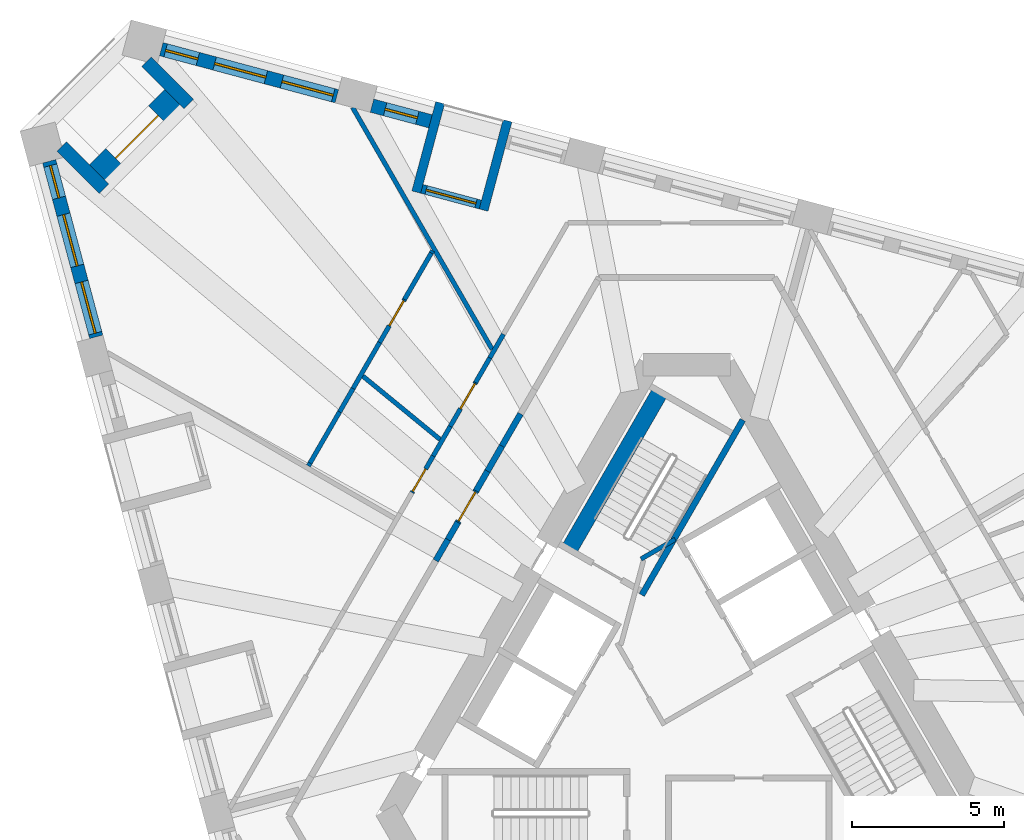
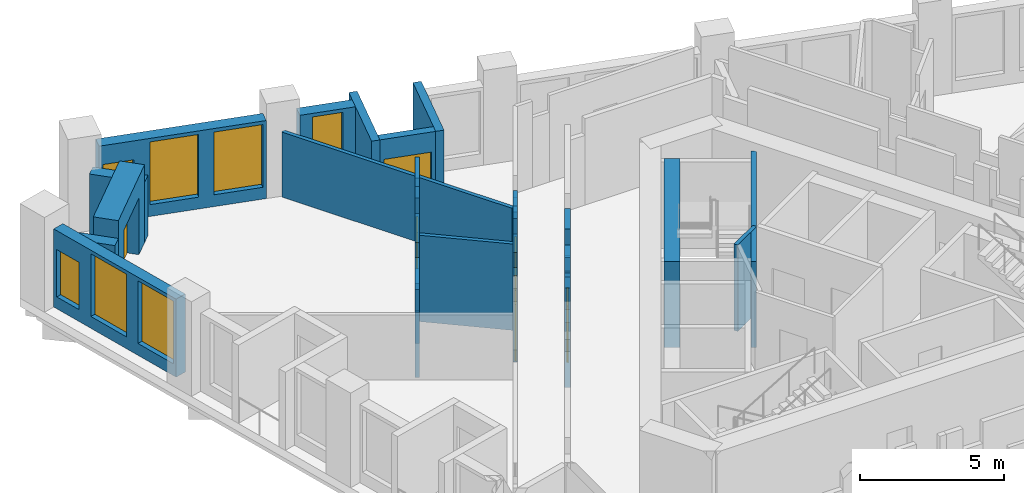
# One storey, part 7 of 13: 32 walls, 7 windows, 6 doors, 13 openings.
"""IFC4 building model written with IfcOpenShell, lengths in metres."""

import ifcopenshell
import ifcopenshell.guid

model = None  # the IFC model being written
_history = None  # IfcOwnerHistory: only IFC2X3 demands one
_inside = {}  # id of a spatial element -> (the spatial element, [elements in it])
_under = {}  # id of a project, library or spatial element -> (it, [spatial elements below it])
_declared = {}  # id of a project -> (the project, [libraries it declares])
_typed = {}  # id of a type object -> (the type object, [elements of that type])
_made_of = {}  # id of a material, layer set ... -> (it, [elements and type objects made of it])


def new_model(schema):
    """Start an empty IFC model of exactly this schema.

    Asked for "IFC4X3", IfcOpenShell would pick the latest addendum, in which some entities
    have other attributes; the version numbers below select the first issue.
    IFC2X3 requires an IfcOwnerHistory on every rooted entity: one is made here for all.
    """
    global model, _history
    if schema == "IFC4X3":
        model = ifcopenshell.file(schema_version=(4, 3, 0, 0))
    else:
        model = ifcopenshell.file(schema=schema)
    _inside.clear()
    _under.clear()
    _declared.clear()
    _typed.clear()
    _made_of.clear()
    _history = None
    if model.schema == "IFC2X3":
        org = make("IfcOrganization", Name="unknown")
        user = make(
            "IfcPersonAndOrganization",
            ThePerson=make("IfcPerson", FamilyName="unknown"),
            TheOrganization=org,
        )
        app = make(
            "IfcApplication",
            ApplicationDeveloper=org,
            Version="unknown",
            ApplicationFullName="unknown",
            ApplicationIdentifier="unknown",
        )
        _history = make(
            "IfcOwnerHistory",
            OwningUser=user,
            OwningApplication=app,
            ChangeAction="ADDED",
            CreationDate=0,
        )
    return model


def make(cls, **values):
    """One entity of the class cls with the attributes given. An attribute that is None is left unset."""
    return model.create_entity(
        cls, **{name: value for name, value in values.items() if value is not None}
    )


def rooted(cls, **values):
    """An entity with a GlobalId (a new one), such as an element, a storey or a relation."""
    return make(cls, GlobalId=ifcopenshell.guid.new(), OwnerHistory=_history, **values)


def si_unit(unit_type, name, prefix=None):
    """IfcSIUnit, for example si_unit("LENGTHUNIT", "METRE", prefix="MILLI")."""
    return make("IfcSIUnit", UnitType=unit_type, Prefix=prefix, Name=name)


def assignment(units):
    """IfcUnitAssignment: the units of a project."""
    return None if units is None else make("IfcUnitAssignment", Units=units)


def point(xyz):
    """IfcCartesianPoint."""
    return None if xyz is None else make("IfcCartesianPoint", Coordinates=xyz)


def direction(xyz):
    """IfcDirection."""
    return None if xyz is None else make("IfcDirection", DirectionRatios=xyz)


def frame(location, z_axis=None, x_axis=None):
    """IfcAxis2Placement3D, a coordinate frame: its origin and axes. An axis left out is left unset."""
    return make(
        "IfcAxis2Placement3D",
        Location=point(location),
        Axis=direction(z_axis),
        RefDirection=direction(x_axis),
    )


def frame_2d(location, x_axis=None):
    """IfcAxis2Placement2D, a coordinate frame in the plane: its origin and x axis."""
    return make(
        "IfcAxis2Placement2D", Location=point(location), RefDirection=direction(x_axis)
    )


def origin():
    """The frame at (0, 0, 0) with its axes left unset."""
    return frame((0.0, 0.0, 0.0))


def place(relative_to, where):
    """IfcLocalPlacement: puts the frame where relative to a parent placement (None: the world)."""
    return make(
        "IfcLocalPlacement", PlacementRelTo=relative_to, RelativePlacement=where
    )


def context(
    kind, dimensions, precision=None, world=None, true_north=None, identifier=None
):
    """IfcGeometricRepresentationContext, for example the 3D "Model" context."""
    return make(
        "IfcGeometricRepresentationContext",
        ContextIdentifier=identifier,
        ContextType=kind,
        CoordinateSpaceDimension=dimensions,
        Precision=precision,
        WorldCoordinateSystem=world,
        TrueNorth=true_north,
    )


def subcontext(parent, identifier, kind, view, scale=None):
    """IfcGeometricRepresentationSubContext, for example "Body" below "Model"."""
    return make(
        "IfcGeometricRepresentationSubContext",
        ContextIdentifier=identifier,
        ContextType=kind,
        ParentContext=parent,
        TargetScale=scale,
        TargetView=view,
    )


def project(units=None, contexts=None):
    """IfcProject with its units and contexts."""
    return rooted(
        "IfcProject",
        Name="project",
        RepresentationContexts=contexts,
        UnitsInContext=assignment(units),
    )


def spatial(cls, under=None, at=None, **own):
    """A site, building, storey or space (cls), placed at a placement, below another one or the project."""
    s = rooted(cls, ObjectPlacement=at, **own)
    if under is not None:
        _under.setdefault(under.id(), (under, []))[1].append(s)
    return s


def polyline(points):
    """IfcPolyline through the points."""
    return make("IfcPolyline", Points=[point(p) for p in points])


def profile(cls, at=None, kind="AREA", **sizes):
    """A parametric profile (cls). Its sizes go by their IFC names, for example OverallWidth=200.0."""
    return make(cls, ProfileType=kind, Position=at, **sizes)


def rectangle(**sizes):
    """IfcRectangleProfileDef."""
    return profile("IfcRectangleProfileDef", **sizes)


def outline(outer, holes=None, kind="AREA"):
    """IfcArbitraryClosedProfileDef: a profile drawn as a closed curve; with holes, ...WithVoids."""
    if holes is None:
        return make("IfcArbitraryClosedProfileDef", ProfileType=kind, OuterCurve=outer)
    return make(
        "IfcArbitraryProfileDefWithVoids",
        ProfileType=kind,
        OuterCurve=outer,
        InnerCurves=holes,
    )


def extrude(swept, where, along, depth):
    """IfcExtrudedAreaSolid: the profile swept, set in the frame where, extruded along a direction by depth."""
    return make(
        "IfcExtrudedAreaSolid",
        SweptArea=swept,
        Position=where,
        ExtrudedDirection=direction(along),
        Depth=depth,
    )


def shape(context_of_items, identifier, shape_type, items):
    """IfcShapeRepresentation: the items that make up one representation, for example the "Body"."""
    return make(
        "IfcShapeRepresentation",
        ContextOfItems=context_of_items,
        RepresentationIdentifier=identifier,
        RepresentationType=shape_type,
        Items=items,
    )


def material(Name=None, Category=None):
    """IfcMaterial."""
    return make("IfcMaterial", Name=Name, Category=Category)


def layer(
    of_material, thickness, ventilated=None, Name=None, Category=None, Priority=None
):
    """IfcMaterialLayer: one layer of a wall or slab, of a material (None: an air gap)."""
    return make(
        "IfcMaterialLayer",
        Material=of_material,
        LayerThickness=thickness,
        IsVentilated=ventilated,
        Name=Name,
        Category=Category,
        Priority=Priority,
    )


def layer_set(layers, Name=None):
    """IfcMaterialLayerSet."""
    return make("IfcMaterialLayerSet", MaterialLayers=layers, LayerSetName=Name)


def made_of(thing, what):
    """Note that an element or type object is made of a material, layer set ...; save() writes the relation."""
    if what is not None:
        _made_of.setdefault(what.id(), (what, []))[1].append(thing)
    return thing


def type_object(cls, material=None, **own):
    """A type object (cls), such as IfcWallType, which elements share."""
    return made_of(rooted(cls, **own), material)


def element(
    cls,
    number,
    at=None,
    inside=None,
    cuts=None,
    type_object=None,
    material=None,
    context=None,
    identifier="Body",
    shape_type=None,
    held_by="IfcProductDefinitionShape",
    body=None,
    shapes=None,
    **own,
):
    """One element of the class cls, such as IfcWall. Its Tag is "e" and its number.

    at: its placement. inside: the storey or other place that contains it. cuts: it is an
    opening in that element (IfcRelVoidsElement). A single representation is given by context,
    identifier, shape_type and body (its items); several are given by shapes. held_by: the class
    of the entity that holds the representations. save() writes the other relations.
    """
    e = rooted(cls, Tag="e%d" % number, ObjectPlacement=at, **own)
    if body is not None:
        shapes = [shape(context, identifier, shape_type, body)]
    if shapes is not None:
        e.Representation = make(held_by, Representations=shapes)
    if inside is not None:
        _inside.setdefault(inside.id(), (inside, []))[1].append(e)
    if cuts is not None:
        rooted(
            "IfcRelVoidsElement", RelatingBuildingElement=cuts, RelatedOpeningElement=e
        )
    if type_object is not None:
        _typed.setdefault(type_object.id(), (type_object, []))[1].append(e)
    return made_of(e, material)


def fill(opening, filler):
    """IfcRelFillsElement: the door or window that sits in an opening."""
    return rooted(
        "IfcRelFillsElement",
        RelatingOpeningElement=opening,
        RelatedBuildingElement=filler,
    )


def aggregate(whole, parts):
    """IfcRelAggregates: a whole, such as a stair, and the parts it consists of."""
    return rooted("IfcRelAggregates", RelatingObject=whole, RelatedObjects=parts)


def save(model, path):
    """Write the relations noted so far, then the file.

    IfcRelAggregates (storeys below a building ...), IfcRelContainedInSpatialStructure (elements
    in a storey), IfcRelDefinesByType, IfcRelAssociatesMaterial and IfcRelDeclares: one each for
    every whole, place, type object, material and project.
    """
    for whole, parts in _under.values():
        aggregate(whole, parts)
    for where, things in _inside.values():
        rooted(
            "IfcRelContainedInSpatialStructure",
            RelatedElements=things,
            RelatingStructure=where,
        )
    for kind, things in _typed.values():
        rooted("IfcRelDefinesByType", RelatedObjects=things, RelatingType=kind)
    for what, things in _made_of.values():
        rooted("IfcRelAssociatesMaterial", RelatedObjects=things, RelatingMaterial=what)
    for by, libraries in _declared.values():
        rooted("IfcRelDeclares", RelatingContext=by, RelatedDefinitions=libraries)
    model.write(path)


model = new_model("IFC4")

# Units and contexts
model_context = context("Model", 3, precision=1e-05, world=origin(), true_north=direction((0.0, 1.0)))
body_context = subcontext(model_context, "Body", "Model", "MODEL_VIEW")
ifc_project = project(units=[si_unit("LENGTHUNIT", "METRE"), si_unit("AREAUNIT", "SQUARE_METRE"), si_unit("VOLUMEUNIT", "CUBIC_METRE"), si_unit("PLANEANGLEUNIT", "RADIAN"), si_unit("MASSUNIT", "GRAM", prefix="KILO")], contexts=[model_context])

# Site, building, storey
site_placement = place(None, origin())
site = spatial("IfcSite", under=ifc_project, at=site_placement, CompositionType="ELEMENT")
building_placement = place(site_placement, origin())
building = spatial("IfcBuilding", under=site, at=building_placement, Name="Tramontana Tower", CompositionType="ELEMENT")
storey_placement = place(building_placement, frame((0.0, 0.0, 208.0)))
storey = spatial("IfcBuildingStorey", under=building, at=storey_placement, Name="L48", CompositionType="ELEMENT", Elevation=208.0)

# Walls
ifc_material_1 = material(Name="Blockwork", Category="masonry")
ifc_layer_1 = layer(ifc_material_1, 0.199951171875)
ifc_layer_set_1 = layer_set([ifc_layer_1], Name="ENTRY WALL 200")
wall_type_1 = type_object("IfcWallType", Name="ENTRY WALL 200", PredefinedType="SOLIDWALL", material=ifc_layer_set_1)
wall_1_placement = place(storey_placement, frame((-8.2783203125, 4.16162109375, 0.0), z_axis=(0.0, 0.0, 1.0), x_axis=(0.500109828528, 0.865961984968, 0.0)))
element("IfcWall", 1, at=wall_1_placement, inside=storey, type_object=wall_type_1, Name="Wall v50-ew4-5", PredefinedType="SOLIDWALL", context=body_context, shape_type="SweptSolid", body=[
    extrude(rectangle(XDim=0.800048828125, YDim=0.199951171875, at=frame_2d((0.39990234375, 0.0))), origin(), (0.0, 0.0, 1.0), 2.75),
])
wall_2_placement = place(storey_placement, frame((-7.878173828125, 4.8544921875, 0.0), z_axis=(0.0, 0.0, 1.0), x_axis=(0.499776065732, 0.866154653697, 0.0)))
element("IfcWall", 2, at=wall_2_placement, inside=storey, type_object=wall_type_1, Name="Wall v50-ew4-6", PredefinedType="SOLIDWALL", context=body_context, shape_type="SweptSolid", body=[
    extrude(rectangle(XDim=0.656982421875, YDim=0.199951171875, at=frame_2d((0.32861328125, 0.0))), origin(), (0.0, 0.0, 1.0), 3.64990234375),
])

# Wall, opening, door
wall_3_placement = place(storey_placement, frame((-7.5498046875, 5.423583984375, 0.0), z_axis=(0.0, 0.0, 1.0), x_axis=(0.500033551112, 0.866006032174, 0.0)))
wall_3 = element("IfcWall", 3, at=wall_3_placement, inside=storey, type_object=wall_type_1, Name="Wall v50-ew4-7", PredefinedType="SOLIDWALL", context=body_context, shape_type="SweptSolid", body=[
    extrude(outline(polyline([(0.0, 0.0), (1.2001953125, 0.0), (1.199951171875, 2.550048828125), (0.2666015625, 2.550048828125), (0.2666015625, 3.64990234375), (0.0, 3.64990234375), (0.0, 0.0)])), frame((0.0, 0.10009765625, 0.0), z_axis=(0.0, -1.0, 0.0), x_axis=(1.0, 0.0, 0.0)), (0.0, 0.0, 1.0), 0.199951171875),
])
opening_1_placement = place(wall_3_placement, frame((0.050048828125, 0.0, 0.0)))
opening_1 = element("IfcOpeningElement", 4, at=opening_1_placement, cuts=wall_3, Name="Opening B5A-22", PredefinedType="OPENING", context=body_context, shape_type="SweptSolid", body=[
    extrude(rectangle(XDim=1.10009765625, YDim=2.39990234375, at=frame_2d((0.550048828125, 1.199951171875))), frame((0.0, 0.10986328125, 0.0), z_axis=(0.0, -1.0, 0.0), x_axis=(1.0, 0.0, 0.0)), (0.0, 0.0, 1.0), 0.219970703125),
])
ifc_material_2 = material(Name="Painted timber", Category="wood")
door_type_1 = type_object("IfcDoorType", Name="DOOR ENTRY 1100", OperationType="SINGLE_SWING_LEFT", PredefinedType="DOOR", material=ifc_material_2)
door_1_placement = place(opening_1_placement, origin())
door_1 = element("IfcDoor", 5, at=door_1_placement, inside=storey, type_object=door_type_1, Name="Door B5A-22", OperationType="SINGLE_SWING_RIGHT", OverallHeight=2.39990234375, OverallWidth=1.10009765625, PredefinedType="DOOR", context=body_context, shape_type="SweptSolid", body=[
    extrude(rectangle(XDim=1.10009765625, YDim=2.39990234375, at=frame_2d((0.550048828125, 1.199951171875))), frame((0.0, 0.02490234375, 0.0), z_axis=(0.0, -1.0, 0.0), x_axis=(1.0, 0.0, 0.0)), (0.0, 0.0, 1.0), 0.050048828125),
])
fill(opening_1, door_1)

# Walls
wall_4_placement = place(storey_placement, frame((-6.94970703125, 6.462890625, 0.0), z_axis=(0.0, 0.0, 1.0), x_axis=(0.50020163859, 0.865908956387, 0.0)))
element("IfcWall", 6, at=wall_4_placement, inside=storey, type_object=wall_type_1, Name="Wall v50-ew4-8", PredefinedType="SOLIDWALL", context=body_context, shape_type="SweptSolid", body=[
    extrude(rectangle(XDim=0.749755859375, YDim=0.199951171875, at=frame_2d((0.375, 0.0))), origin(), (0.0, 0.0, 1.0), 3.64990234375),
])
wall_5_placement = place(storey_placement, frame((-6.57470703125, 7.112060546875, 0.0), z_axis=(0.0, 0.0, 1.0), x_axis=(0.499869636591, 0.866100656052, 0.0)))
element("IfcWall", 7, at=wall_5_placement, inside=storey, type_object=wall_type_1, Name="Wall v50-ew4-9", PredefinedType="SOLIDWALL", context=body_context, shape_type="SweptSolid", body=[
    extrude(rectangle(XDim=0.957275390625, YDim=0.199951171875, at=frame_2d((0.478515625, 0.0))), origin(), (0.0, 0.0, 1.0), 2.550048828125),
])
wall_6_placement = place(storey_placement, frame((-6.09619140625, 7.941162109375, 0.0), z_axis=(0.0, 0.0, 1.0), x_axis=(0.500055461028, 0.865993380977, 0.0)))
element("IfcWall", 8, at=wall_6_placement, inside=storey, type_object=wall_type_1, Name="Wall v50-ew4-10", PredefinedType="SOLIDWALL", context=body_context, shape_type="SweptSolid", body=[
    extrude(rectangle(XDim=1.226806640625, YDim=0.199951171875, at=frame_2d((0.61328125, 0.0))), origin(), (0.0, 0.0, 1.0), 3.64990234375),
])

# Wall, openings, windows
ifc_material_3 = material(Name="Precast concrete 60 MPa", Category="concrete")
ifc_layer_2 = layer(ifc_material_3, 0.449951171875)
ifc_layer_set_2 = layer_set([ifc_layer_2], Name="Precast concrete 60 MPa, 450 mm")
wall_type_2 = type_object("IfcWallType", Name="EW1 Stone-faced precast wall 450", PredefinedType="SOLIDWALL", material=ifc_layer_set_2)
wall_7_placement = place(storey_placement, frame((-21.027099609375, 17.3310546875, 0.0), z_axis=(0.0, 0.0, 1.0), x_axis=(0.258831089404, -0.965922598948, 0.0)))
wall_7 = element("IfcWall", 9, at=wall_7_placement, inside=storey, type_object=wall_type_2, Name="External wall L48 face 0 bay 1", PredefinedType="SOLIDWALL", context=body_context, shape_type="SweptSolid", body=[
    extrude(rectangle(XDim=5.994384765625, YDim=0.449951171875, at=frame_2d((2.9970703125, 0.0))), origin(), (0.0, 0.0, 1.0), 3.300048828125),
])
opening_2_placement = place(wall_7_placement, frame((0.14892578125, 0.0, 0.5)))
opening_2 = element("IfcOpeningElement", 10, at=opening_2_placement, cuts=wall_7, Name="Opening N2L", PredefinedType="OPENING", context=body_context, shape_type="SweptSolid", body=[
    extrude(rectangle(XDim=1.10009765625, YDim=2.0, at=frame_2d((0.550048828125, 1.0))), frame((0.0, 0.23486328125, 0.0), z_axis=(0.0, -1.0, 0.0), x_axis=(1.0, 0.0, 0.0)), (0.0, 0.0, 1.0), 0.469970703125),
])
opening_3_placement = place(wall_7_placement, frame((1.822021484375, 0.0, 0.5)))
opening_3 = element("IfcOpeningElement", 11, at=opening_3_placement, cuts=wall_7, Name="Opening M2", PredefinedType="OPENING", context=body_context, shape_type="SweptSolid", body=[
    extrude(rectangle(XDim=1.75, YDim=2.64990234375, at=frame_2d((0.875, 1.324951171875))), frame((0.0, 0.23486328125, 0.0), z_axis=(0.0, -1.0, 0.0), x_axis=(1.0, 0.0, 0.0)), (0.0, 0.0, 1.0), 0.469970703125),
])
opening_4_placement = place(wall_7_placement, frame((4.1201171875, 0.0, 0.5)))
opening_4 = element("IfcOpeningElement", 12, at=opening_4_placement, cuts=wall_7, Name="Opening M2", PredefinedType="OPENING", context=body_context, shape_type="SweptSolid", body=[
    extrude(rectangle(XDim=1.75, YDim=2.64990234375, at=frame_2d((0.875, 1.324951171875))), frame((0.0, 0.23486328125, 0.0), z_axis=(0.0, -1.0, 0.0), x_axis=(1.0, 0.0, 0.0)), (0.0, 0.0, 1.0), 0.469970703125),
])
ifc_material_4 = material(Name="Aluminum frame, double glazing unit", Category="aluminium")
window_type_1 = type_object("IfcWindowType", Name="M2 Window 1.75 x 2.65", PartitioningType="SINGLE_PANEL", PredefinedType="WINDOW", material=ifc_material_4)
window_1_placement = place(opening_3_placement, origin())
window_1 = element("IfcWindow", 13, at=window_1_placement, inside=storey, type_object=window_type_1, Name="Window M2 L48 face 0 module 2", OverallHeight=2.64990234375, OverallWidth=1.75, PartitioningType="SINGLE_PANEL", PredefinedType="WINDOW", context=body_context, shape_type="SweptSolid", body=[
    extrude(rectangle(XDim=1.75, YDim=2.64990234375, at=frame_2d((0.875, 1.324951171875))), frame((0.0, 0.030029296875, 0.0), z_axis=(0.0, -1.0, 0.0), x_axis=(1.0, 0.0, 0.0)), (0.0, 0.0, 1.0), 0.06005859375),
])
fill(opening_3, window_1)
window_2_placement = place(opening_4_placement, origin())
window_2 = element("IfcWindow", 14, at=window_2_placement, inside=storey, type_object=window_type_1, Name="Window M2 L48 face 0 module 3", OverallHeight=2.64990234375, OverallWidth=1.75, PartitioningType="SINGLE_PANEL", PredefinedType="WINDOW", context=body_context, shape_type="SweptSolid", body=[
    extrude(rectangle(XDim=1.75, YDim=2.64990234375, at=frame_2d((0.875, 1.324951171875))), frame((0.0, 0.030029296875, 0.0), z_axis=(0.0, -1.0, 0.0), x_axis=(1.0, 0.0, 0.0)), (0.0, 0.0, 1.0), 0.06005859375),
])
fill(opening_4, window_2)
ifc_material_5 = material(Name="Aluminum frame, double glazing unit", Category="aluminium")
window_type_2 = type_object("IfcWindowType", Name="N2L Window 1.1 x 2", PartitioningType="SINGLE_PANEL", PredefinedType="WINDOW", material=ifc_material_5)
window_3_placement = place(opening_2_placement, origin())
window_3 = element("IfcWindow", 15, at=window_3_placement, inside=storey, type_object=window_type_2, Name="Window N2L L48 face 0 module 1", OverallHeight=2.0, OverallWidth=1.10009765625, PartitioningType="SINGLE_PANEL", PredefinedType="WINDOW", context=body_context, shape_type="SweptSolid", body=[
    extrude(rectangle(XDim=1.10009765625, YDim=2.0, at=frame_2d((0.550048828125, 1.0))), frame((0.0, 0.030029296875, 0.0), z_axis=(0.0, -1.0, 0.0), x_axis=(1.0, 0.0, 0.0)), (0.0, 0.0, 1.0), 0.06005859375),
])
fill(opening_2, window_3)

# Wall, opening, window
wall_8_placement = place(storey_placement, frame((-8.451904296875, 18.64794921875, 0.0), z_axis=(0.0, 0.0, 1.0), x_axis=(-0.96593005298, 0.258803270362, 0.0)))
wall_8 = element("IfcWall", 16, at=wall_8_placement, inside=storey, type_object=wall_type_2, Name="External wall L48 face 2 bay 5", PredefinedType="SOLIDWALL", context=body_context, shape_type="SweptSolid", body=[
    extrude(rectangle(XDim=1.998046875, YDim=0.449951171875, at=frame_2d((0.9990234375, 0.0))), origin(), (0.0, 0.0, 1.0), 3.300048828125),
])
opening_5_placement = place(wall_8_placement, frame((0.448974609375, 0.0, 0.5)))
opening_5 = element("IfcOpeningElement", 17, at=opening_5_placement, cuts=wall_8, Name="Opening N2", PredefinedType="OPENING", context=body_context, shape_type="SweptSolid", body=[
    extrude(rectangle(XDim=1.10009765625, YDim=2.64990234375, at=frame_2d((0.550048828125, 1.324951171875))), frame((0.0, 0.23486328125, 0.0), z_axis=(0.0, -1.0, 0.0), x_axis=(1.0, 0.0, 0.0)), (0.0, 0.0, 1.0), 0.469970703125),
])
ifc_material_6 = material(Name="Aluminum frame, double glazing unit", Category="aluminium")
window_type_3 = type_object("IfcWindowType", Name="N2 Window 1.1 x 2.65", PartitioningType="SINGLE_PANEL", PredefinedType="WINDOW", material=ifc_material_6)
window_4_placement = place(opening_5_placement, origin())
window_4 = element("IfcWindow", 18, at=window_4_placement, inside=storey, type_object=window_type_3, Name="Window N2 L48 face 2 module 15", OverallHeight=2.64990234375, OverallWidth=1.10009765625, PartitioningType="SINGLE_PANEL", PredefinedType="WINDOW", context=body_context, shape_type="SweptSolid", body=[
    extrude(rectangle(XDim=1.10009765625, YDim=2.64990234375, at=frame_2d((0.550048828125, 1.324951171875))), frame((0.0, 0.030029296875, 0.0), z_axis=(0.0, -1.0, 0.0), x_axis=(1.0, 0.0, 0.0)), (0.0, 0.0, 1.0), 0.06005859375),
])
fill(opening_5, window_4)

# Wall, openings, windows
wall_9_placement = place(storey_placement, frame((-11.541015625, 19.4755859375, 0.0), z_axis=(0.0, 0.0, 1.0), x_axis=(-0.965922598948, 0.258831089404, 0.0)))
wall_9 = element("IfcWall", 19, at=wall_9_placement, inside=storey, type_object=wall_type_2, Name="External wall L48 face 2 bay 6", PredefinedType="SOLIDWALL", context=body_context, shape_type="SweptSolid", body=[
    extrude(rectangle(XDim=5.994384765625, YDim=0.449951171875, at=frame_2d((2.9970703125, 0.0))), origin(), (0.0, 0.0, 1.0), 3.300048828125),
])
opening_6_placement = place(wall_9_placement, frame((0.1240234375, 0.0, 0.5)))
opening_6 = element("IfcOpeningElement", 20, at=opening_6_placement, cuts=wall_9, Name="Opening M2", PredefinedType="OPENING", context=body_context, shape_type="SweptSolid", body=[
    extrude(rectangle(XDim=1.75, YDim=2.64990234375, at=frame_2d((0.875, 1.324951171875))), frame((0.0, 0.23486328125, 0.0), z_axis=(0.0, -1.0, 0.0), x_axis=(1.0, 0.0, 0.0)), (0.0, 0.0, 1.0), 0.469970703125),
])
opening_7_placement = place(wall_9_placement, frame((2.422119140625, 0.0, 0.5)))
opening_7 = element("IfcOpeningElement", 21, at=opening_7_placement, cuts=wall_9, Name="Opening M2", PredefinedType="OPENING", context=body_context, shape_type="SweptSolid", body=[
    extrude(rectangle(XDim=1.75, YDim=2.64990234375, at=frame_2d((0.875, 1.324951171875))), frame((0.0, 0.23486328125, 0.0), z_axis=(0.0, -1.0, 0.0), x_axis=(1.0, 0.0, 0.0)), (0.0, 0.0, 1.0), 0.469970703125),
])
opening_8_placement = place(wall_9_placement, frame((4.7451171875, 0.0, 0.5)))
opening_8 = element("IfcOpeningElement", 22, at=opening_8_placement, cuts=wall_9, Name="Opening N2L", PredefinedType="OPENING", context=body_context, shape_type="SweptSolid", body=[
    extrude(rectangle(XDim=1.10009765625, YDim=2.0, at=frame_2d((0.550048828125, 1.0))), frame((0.0, 0.23486328125, 0.0), z_axis=(0.0, -1.0, 0.0), x_axis=(1.0, 0.0, 0.0)), (0.0, 0.0, 1.0), 0.469970703125),
])
window_5_placement = place(opening_6_placement, origin())
window_5 = element("IfcWindow", 23, at=window_5_placement, inside=storey, type_object=window_type_1, Name="Window M2 L48 face 2 module 16", OverallHeight=2.64990234375, OverallWidth=1.75, PartitioningType="SINGLE_PANEL", PredefinedType="WINDOW", context=body_context, shape_type="SweptSolid", body=[
    extrude(rectangle(XDim=1.75, YDim=2.64990234375, at=frame_2d((0.875, 1.324951171875))), frame((0.0, 0.030029296875, 0.0), z_axis=(0.0, -1.0, 0.0), x_axis=(1.0, 0.0, 0.0)), (0.0, 0.0, 1.0), 0.06005859375),
])
fill(opening_6, window_5)
window_6_placement = place(opening_7_placement, origin())
window_6 = element("IfcWindow", 24, at=window_6_placement, inside=storey, type_object=window_type_1, Name="Window M2 L48 face 2 module 17", OverallHeight=2.64990234375, OverallWidth=1.75, PartitioningType="SINGLE_PANEL", PredefinedType="WINDOW", context=body_context, shape_type="SweptSolid", body=[
    extrude(rectangle(XDim=1.75, YDim=2.64990234375, at=frame_2d((0.875, 1.324951171875))), frame((0.0, 0.030029296875, 0.0), z_axis=(0.0, -1.0, 0.0), x_axis=(1.0, 0.0, 0.0)), (0.0, 0.0, 1.0), 0.06005859375),
])
fill(opening_7, window_6)
window_7_placement = place(opening_8_placement, origin())
window_7 = element("IfcWindow", 25, at=window_7_placement, inside=storey, type_object=window_type_2, Name="Window N2L L48 face 2 module 18", OverallHeight=2.0, OverallWidth=1.10009765625, PartitioningType="SINGLE_PANEL", PredefinedType="WINDOW", context=body_context, shape_type="SweptSolid", body=[
    extrude(rectangle(XDim=1.10009765625, YDim=2.0, at=frame_2d((0.550048828125, 1.0))), frame((0.0, 0.030029296875, 0.0), z_axis=(0.0, -1.0, 0.0), x_axis=(1.0, 0.0, 0.0)), (0.0, 0.0, 1.0), 0.06005859375),
])
fill(opening_8, window_7)

# Walls
for number, where, z_axis, x_axis, name in (
    (26, (-20.615234375, 17.822021484375, 0.0), (0.0, 0.0, 1.0), (0.70716845375, -0.707045103244, 0.0), "Corner loggia side wall L48 K50l"),
    (27, (-17.822021484375, 20.615234375, 0.0), (0.0, 0.0, 1.0), (0.707045103244, -0.70716845375, 0.0), "Corner loggia side wall L48 K50r"),
):
    element("IfcWall", number, at=place(storey_placement, frame(where, z_axis=z_axis, x_axis=x_axis)), inside=storey, type_object=wall_type_2, Name=name, PredefinedType="SOLIDWALL", context=body_context, shape_type="SweptSolid", body=[
        extrude(rectangle(XDim=1.979248046875, YDim=0.449951171875, at=frame_2d((0.98974609375, 0.0))), origin(), (0.0, 0.0, 1.0), 2.550048828125),
    ])

# Wall, opening, door
ifc_material_7 = material(Name="Precast concrete 60 MPa", Category="concrete")
ifc_layer_3 = layer(ifc_material_7, 0.89990234375)
ifc_layer_set_3 = layer_set([ifc_layer_3], Name="EW2 Stone-faced corner loggia wall 900")
wall_type_3 = type_object("IfcWallType", Name="EW2 Stone-faced corner loggia wall 900", PredefinedType="SOLIDWALL", material=ifc_layer_set_3)
wall_10_placement = place(storey_placement, frame((-19.374755859375, 16.89990234375, 0.0), z_axis=(0.0, 0.0, 1.0), x_axis=(0.707106781187, 0.707106781187, 0.0)))
wall_10 = element("IfcWall", 28, at=wall_10_placement, inside=storey, type_object=wall_type_3, Name="Corner loggia wall L48 K50", PredefinedType="SOLIDWALL", context=body_context, shape_type="SweptSolid", body=[
    extrude(rectangle(XDim=3.5, YDim=0.89990234375, at=frame_2d((1.75, 0.0))), origin(), (0.0, 0.0, 1.0), 3.300048828125),
])
opening_9_placement = place(wall_10_placement, frame((0.75, 0.0, 0.0)))
opening_9 = element("IfcOpeningElement", 29, at=opening_9_placement, cuts=wall_10, Name="Opening BD-50C", PredefinedType="OPENING", context=body_context, shape_type="SweptSolid", body=[
    extrude(rectangle(XDim=2.0, YDim=2.39990234375, at=frame_2d((1.0, 1.199951171875))), frame((0.0, 0.4599609375, 0.0), z_axis=(0.0, -1.0, 0.0), x_axis=(1.0, 0.0, 0.0)), (0.0, 0.0, 1.0), 0.919921875),
])
ifc_material_8 = material(Name="Aluminum frame, double glazing unit", Category="aluminium")
door_type_2 = type_object("IfcDoorType", Name="BC1 Sliding door 2 x 2.4", OperationType="SLIDING_TO_LEFT", PredefinedType="DOOR", material=ifc_material_8)
door_2_placement = place(opening_9_placement, origin())
door_2 = element("IfcDoor", 30, at=door_2_placement, inside=storey, type_object=door_type_2, Name="Corner loggia door L48 K50", OperationType="SLIDING_TO_LEFT", OverallHeight=2.39990234375, OverallWidth=2.0, PredefinedType="DOOR", context=body_context, shape_type="SweptSolid", body=[
    extrude(rectangle(XDim=2.0, YDim=2.39990234375, at=frame_2d((1.0, 1.199951171875))), frame((0.0, 0.02490234375, 0.0), z_axis=(0.0, -1.0, 0.0), x_axis=(1.0, 0.0, 0.0)), (0.0, 0.0, 1.0), 0.050048828125),
])
fill(opening_9, door_2)

ifc_material_9 = material(Name="Precast concrete 60 MPa", Category="concrete")
ifc_layer_4 = layer(ifc_material_9, 0.300048828125)
ifc_layer_set_4 = layer_set([ifc_layer_4], Name="LW1 Stone-faced loggia wall 300")
wall_type_4 = type_object("IfcWallType", Name="LW1 Stone-faced loggia wall 300", PredefinedType="SOLIDWALL", material=ifc_layer_set_4)
wall_11_placement = place(storey_placement, frame((-6.80810546875, 15.904052734375, 0.0), z_axis=(0.0, 0.0, 1.0), x_axis=(-0.96593005298, 0.258803270362, 0.0)))
wall_11 = element("IfcWall", 31, at=wall_11_placement, inside=storey, type_object=wall_type_4, Name="Loggia wall L48 G5S2.13", PredefinedType="SOLIDWALL", context=body_context, shape_type="SweptSolid", body=[
    extrude(rectangle(XDim=1.998046875, YDim=0.300048828125, at=frame_2d((0.9990234375, 0.0))), origin(), (0.0, 0.0, 1.0), 3.300048828125),
])
opening_10_placement = place(wall_11_placement, frame((0.14892578125, 0.0, 0.0)))
opening_10 = element("IfcOpeningElement", 32, at=opening_10_placement, cuts=wall_11, Name="Opening BD-5S2-13", PredefinedType="OPENING", context=body_context, shape_type="SweptSolid", body=[
    extrude(rectangle(XDim=1.699951171875, YDim=2.449951171875, at=frame_2d((0.85009765625, 1.22509765625))), frame((0.0, 0.159912109375, 0.0), z_axis=(0.0, -1.0, 0.0), x_axis=(1.0, 0.0, 0.0)), (0.0, 0.0, 1.0), 0.320068359375),
])
ifc_material_10 = material(Name="Aluminum frame, double glazing unit", Category="aluminium")
door_type_3 = type_object("IfcDoorType", Name="BD2 Sliding door 1.7 x 2.45", OperationType="SLIDING_TO_LEFT", PredefinedType="DOOR", material=ifc_material_10)
door_3_placement = place(opening_10_placement, origin())
door_3 = element("IfcDoor", 33, at=door_3_placement, inside=storey, type_object=door_type_3, Name="Loggia door L48 G5S2.13", OperationType="SLIDING_TO_LEFT", OverallHeight=2.449951171875, OverallWidth=1.699951171875, PredefinedType="DOOR", context=body_context, shape_type="SweptSolid", body=[
    extrude(rectangle(XDim=1.699951171875, YDim=2.449951171875, at=frame_2d((0.85009765625, 1.22509765625))), frame((0.0, 0.02490234375, 0.0), z_axis=(0.0, -1.0, 0.0), x_axis=(1.0, 0.0, 0.0)), (0.0, 0.0, 1.0), 0.050048828125),
])
fill(opening_10, door_3)

# Walls
wall_12_placement = place(storey_placement, frame((-5.91259765625, 18.666259765625, 0.0), z_axis=(0.0, 0.0, 1.0), x_axis=(-0.258793435045, -0.965932688119, 0.0)))
element("IfcWall", 34, at=wall_12_placement, inside=storey, type_object=wall_type_4, Name="Loggia return L48 G5S2.13a", PredefinedType="SOLIDWALL", context=body_context, shape_type="SweptSolid", body=[
    extrude(rectangle(XDim=3.050048828125, YDim=0.300048828125, at=frame_2d((1.52490234375, 0.0))), origin(), (0.0, 0.0, 1.0), 3.300048828125),
])
wall_13_placement = place(storey_placement, frame((-8.13232421875, 19.26123046875, 0.0), z_axis=(0.0, 0.0, 1.0), x_axis=(-0.25877342651, -0.9659380486, 0.0)))
element("IfcWall", 35, at=wall_13_placement, inside=storey, type_object=wall_type_4, Name="Loggia return L48 G5S2.13b", PredefinedType="SOLIDWALL", context=body_context, shape_type="SweptSolid", body=[
    extrude(rectangle(XDim=3.05029296875, YDim=0.300048828125, at=frame_2d((1.525146484375, 0.0))), origin(), (0.0, 0.0, 1.0), 3.300048828125),
])
ifc_material_11 = material(Name="Gypsum board partition")
ifc_layer_5 = layer(ifc_material_11, 0.14990234375)
ifc_layer_set_5 = layer_set([ifc_layer_5], Name="PARTITION 150")
wall_type_5 = type_object("IfcWallType", Name="PARTITION 150", PredefinedType="PARTITIONING", material=ifc_layer_set_5)
wall_14_placement = place(storey_placement, frame((-1.509765625, 4.21484375, 0.0), z_axis=(0.0, 0.0, 1.0), x_axis=(0.866085525409, 0.49989585183, 0.0)))
element("IfcWall", 36, at=wall_14_placement, inside=storey, type_object=wall_type_5, Name="Wall ff-end1", PredefinedType="PARTITIONING", context=body_context, shape_type="SweptSolid", body=[
    extrude(rectangle(XDim=1.300048828125, YDim=0.14990234375, at=frame_2d((0.64990234375, 0.0))), origin(), (0.0, 0.0, 1.0), 3.64990234375),
])

# Wall, opening, door
wall_15_placement = place(storey_placement, frame((-9.062744140625, 6.40283203125, 0.0), z_axis=(0.0, 0.0, 1.0), x_axis=(0.500030071784, 0.866008041136, 0.0)))
wall_15 = element("IfcWall", 37, at=wall_15_placement, inside=storey, type_object=wall_type_5, Name="Wall v50-pw00-6", PredefinedType="PARTITIONING", context=body_context, shape_type="SweptSolid", body=[
    extrude(outline(polyline([(0.0, 0.0), (1.39697265625, 0.0), (1.39697265625, 2.550048828125), (0.508056640625, 2.550048828125), (0.508056640625, 3.64990234375), (0.0, 3.64990234375), (0.0, 0.0)])), frame((0.0, 0.074951171875, 0.0), z_axis=(0.0, -1.0, 0.0), x_axis=(1.0, 0.0, 0.0)), (0.0, 0.0, 1.0), 0.14990234375),
])
opening_11_placement = place(wall_15_placement, frame((0.050048828125, 0.0, 0.0)))
opening_11 = element("IfcOpeningElement", 38, at=opening_11_placement, cuts=wall_15, Name="Opening B5A-02", PredefinedType="OPENING", context=body_context, shape_type="SweptSolid", body=[
    extrude(rectangle(XDim=0.85009765625, YDim=2.39990234375, at=frame_2d((0.425048828125, 1.199951171875))), frame((0.0, 0.0849609375, 0.0), z_axis=(0.0, -1.0, 0.0), x_axis=(1.0, 0.0, 0.0)), (0.0, 0.0, 1.0), 0.169921875),
])
ifc_material_12 = material(Name="Painted timber", Category="wood")
door_type_4 = type_object("IfcDoorType", Name="DOOR BATH 850", OperationType="SINGLE_SWING_LEFT", PredefinedType="DOOR", material=ifc_material_12)
door_4_placement = place(opening_11_placement, origin())
door_4 = element("IfcDoor", 39, at=door_4_placement, inside=storey, type_object=door_type_4, Name="Door B5A-02", OperationType="SINGLE_SWING_RIGHT", OverallHeight=2.39990234375, OverallWidth=0.85009765625, PredefinedType="DOOR", context=body_context, shape_type="SweptSolid", body=[
    extrude(rectangle(XDim=0.85009765625, YDim=2.39990234375, at=frame_2d((0.425048828125, 1.199951171875))), frame((0.0, 0.02490234375, 0.0), z_axis=(0.0, -1.0, 0.0), x_axis=(1.0, 0.0, 0.0)), (0.0, 0.0, 1.0), 0.050048828125),
])
fill(opening_11, door_4)

# Wall
wall_16_placement = place(storey_placement, frame((-8.3642578125, 7.612548828125, 0.0), z_axis=(0.0, 0.0, 1.0), x_axis=(0.499891270366, 0.866088169768, 0.0)))
element("IfcWall", 40, at=wall_16_placement, inside=storey, type_object=wall_type_5, Name="Wall v50-pw00-7", PredefinedType="PARTITIONING", context=body_context, shape_type="SweptSolid", body=[
    extrude(rectangle(XDim=1.126708984375, YDim=0.14990234375, at=frame_2d((0.5634765625, 0.0))), origin(), (0.0, 0.0, 1.0), 3.64990234375),
])

# Wall, opening, door
wall_17_placement = place(storey_placement, frame((-7.801025390625, 8.58837890625, 0.0), z_axis=(0.0, 0.0, 1.0), x_axis=(0.500017322015, 0.866015402684, 0.0)))
wall_17 = element("IfcWall", 41, at=wall_17_placement, inside=storey, type_object=wall_type_5, Name="Wall v50-pw00-8", PredefinedType="PARTITIONING", context=body_context, shape_type="SweptSolid", body=[
    extrude(outline(polyline([(0.0, 0.0), (1.67236328125, 0.0), (1.672607421875, 3.64990234375), (0.9306640625, 3.64990234375), (0.9306640625, 2.550048828125), (0.0, 2.550048828125), (0.0, 0.0)])), frame((0.0, 0.074951171875, 0.0), z_axis=(0.0, -1.0, 0.0), x_axis=(1.0, 0.0, 0.0)), (0.0, 0.0, 1.0), 0.14990234375),
])
opening_12_placement = place(wall_17_placement, frame((0.672607421875, 0.0, 0.0)))
opening_12 = element("IfcOpeningElement", 42, at=opening_12_placement, cuts=wall_17, Name="Opening B5A-01", PredefinedType="OPENING", context=body_context, shape_type="SweptSolid", body=[
    extrude(rectangle(XDim=0.949951171875, YDim=2.39990234375, at=frame_2d((0.47509765625, 1.199951171875))), frame((0.0, 0.0849609375, 0.0), z_axis=(0.0, -1.0, 0.0), x_axis=(1.0, 0.0, 0.0)), (0.0, 0.0, 1.0), 0.169921875),
])
ifc_material_13 = material(Name="Painted timber", Category="wood")
door_type_5 = type_object("IfcDoorType", Name="DOOR ROOM 950", OperationType="SINGLE_SWING_LEFT", PredefinedType="DOOR", material=ifc_material_13)
door_5_placement = place(opening_12_placement, origin())
door_5 = element("IfcDoor", 43, at=door_5_placement, inside=storey, type_object=door_type_5, Name="Door B5A-01", OperationType="SINGLE_SWING_LEFT", OverallHeight=2.39990234375, OverallWidth=0.949951171875, PredefinedType="DOOR", context=body_context, shape_type="SweptSolid", body=[
    extrude(rectangle(XDim=0.949951171875, YDim=2.39990234375, at=frame_2d((0.47509765625, 1.199951171875))), frame((0.0, 0.02490234375, 0.0), z_axis=(0.0, -1.0, 0.0), x_axis=(1.0, 0.0, 0.0)), (0.0, 0.0, 1.0), 0.050048828125),
])
fill(opening_12, door_5)

# Walls
wall_18_placement = place(storey_placement, frame((-6.96484375, 10.03662109375, 0.0), z_axis=(0.0, 0.0, 1.0), x_axis=(0.499955859829, 0.866050886624, 0.0)))
element("IfcWall", 44, at=wall_18_placement, inside=storey, type_object=wall_type_5, Name="Wall v50-pw00-9", PredefinedType="PARTITIONING", context=body_context, shape_type="SweptSolid", body=[
    extrude(rectangle(XDim=0.935546875, YDim=0.14990234375, at=frame_2d((0.4677734375, 0.0))), origin(), (0.0, 0.0, 1.0), 3.64990234375),
])
wall_19_placement = place(storey_placement, frame((-6.4970703125, 10.846923828125, 0.0), z_axis=(0.0, 0.0, 1.0), x_axis=(0.500065807255, 0.865987406614, 0.0)))
element("IfcWall", 45, at=wall_19_placement, inside=storey, type_object=wall_type_5, Name="Wall v50-pw00-10", PredefinedType="PARTITIONING", context=body_context, shape_type="SweptSolid", body=[
    extrude(rectangle(XDim=0.90283203125, YDim=0.14990234375, at=frame_2d((0.451416015625, 0.0))), origin(), (0.0, 0.0, 1.0), 2.75),
])
wall_20_placement = place(storey_placement, frame((-12.479248046875, 7.285400390625, 0.0), z_axis=(0.0, 0.0, 1.0), x_axis=(0.499327634179, 0.86641324652, 0.0)))
element("IfcWall", 46, at=wall_20_placement, inside=storey, type_object=wall_type_5, Name="Wall v50-pw02-0", PredefinedType="PARTITIONING", context=body_context, shape_type="SweptSolid", body=[
    extrude(rectangle(XDim=0.107177734375, YDim=0.14990234375, at=frame_2d((0.0537109375, 0.0))), origin(), (0.0, 0.0, 1.0), 2.75),
])
wall_21_placement = place(storey_placement, frame((-12.42578125, 7.378173828125, 0.0), z_axis=(0.0, 0.0, 1.0), x_axis=(0.500098182527, 0.865968710655, 0.0)))
element("IfcWall", 47, at=wall_21_placement, inside=storey, type_object=wall_type_5, Name="Wall v50-pw02-1", PredefinedType="PARTITIONING", context=body_context, shape_type="SweptSolid", body=[
    extrude(rectangle(XDim=1.94970703125, YDim=0.14990234375, at=frame_2d((0.974853515625, 0.0))), origin(), (0.0, 0.0, 1.0), 3.64990234375),
])
wall_22_placement = place(storey_placement, frame((-11.45068359375, 9.066650390625, 0.0), z_axis=(0.0, 0.0, 1.0), x_axis=(0.499920601425, 0.866071239721, 0.0)))
element("IfcWall", 48, at=wall_22_placement, inside=storey, type_object=wall_type_5, Name="Wall v50-pw02-2", PredefinedType="PARTITIONING", context=body_context, shape_type="SweptSolid", body=[
    extrude(rectangle(XDim=0.888916015625, YDim=0.14990234375, at=frame_2d((0.4443359375, 0.0))), origin(), (0.0, 0.0, 1.0), 2.550048828125),
])
wall_23_placement = place(storey_placement, frame((-11.00634765625, 9.83642578125, 0.0), z_axis=(0.0, 0.0, 1.0), x_axis=(0.500047902311, 0.865997745606, 0.0)))
element("IfcWall", 49, at=wall_23_placement, inside=storey, type_object=wall_type_5, Name="Wall v50-pw02-3", PredefinedType="PARTITIONING", context=body_context, shape_type="SweptSolid", body=[
    extrude(rectangle(XDim=1.753173828125, YDim=0.14990234375, at=frame_2d((0.87646484375, 0.0))), origin(), (0.0, 0.0, 1.0), 3.64990234375),
])

# Wall, opening, door
wall_24_placement = place(storey_placement, frame((-10.129638671875, 11.354736328125, 0.0), z_axis=(0.0, 0.0, 1.0), x_axis=(0.49996740399, 0.866044222282, 0.0)))
wall_24 = element("IfcWall", 50, at=wall_24_placement, inside=storey, type_object=wall_type_5, Name="Wall v50-pw02-4", PredefinedType="PARTITIONING", context=body_context, shape_type="SweptSolid", body=[
    extrude(outline(polyline([(0.0, 0.0), (1.63916015625, 0.0), (1.63916015625, 3.64990234375), (0.9306640625, 3.64990234375), (0.9306640625, 2.550048828125), (0.0, 2.550048828125), (0.0, 0.0)])), frame((0.0, 0.074951171875, 0.0), z_axis=(0.0, -1.0, 0.0), x_axis=(1.0, 0.0, 0.0)), (0.0, 0.0, 1.0), 0.14990234375),
])
opening_13_placement = place(wall_24_placement, frame((0.63916015625, 0.0, 0.0)))
opening_13 = element("IfcOpeningElement", 51, at=opening_13_placement, cuts=wall_24, Name="Opening B5A-17", PredefinedType="OPENING", context=body_context, shape_type="SweptSolid", body=[
    extrude(rectangle(XDim=0.949951171875, YDim=2.39990234375, at=frame_2d((0.47509765625, 1.199951171875))), frame((0.0, 0.0849609375, 0.0), z_axis=(0.0, -1.0, 0.0), x_axis=(1.0, 0.0, 0.0)), (0.0, 0.0, 1.0), 0.169921875),
])
door_6_placement = place(opening_13_placement, origin())
door_6 = element("IfcDoor", 52, at=door_6_placement, inside=storey, type_object=door_type_5, Name="Door B5A-17", OperationType="SINGLE_SWING_LEFT", OverallHeight=2.39990234375, OverallWidth=0.949951171875, PredefinedType="DOOR", context=body_context, shape_type="SweptSolid", body=[
    extrude(rectangle(XDim=0.949951171875, YDim=2.39990234375, at=frame_2d((0.47509765625, 1.199951171875))), frame((0.0, 0.02490234375, 0.0), z_axis=(0.0, -1.0, 0.0), x_axis=(1.0, 0.0, 0.0)), (0.0, 0.0, 1.0), 0.050048828125),
])
fill(opening_13, door_6)

# Walls
wall_25_placement = place(storey_placement, frame((-9.31005859375, 12.7744140625, 0.0), z_axis=(0.0, 0.0, 1.0), x_axis=(0.50001746176, 0.866015321998, 0.0)))
element("IfcWall", 53, at=wall_25_placement, inside=storey, type_object=wall_type_5, Name="Wall v50-pw02-5", PredefinedType="PARTITIONING", context=body_context, shape_type="SweptSolid", body=[
    extrude(rectangle(XDim=1.76708984375, YDim=0.14990234375, at=frame_2d((0.883544921875, 0.0))), origin(), (0.0, 0.0, 1.0), 3.64990234375),
])
wall_26_placement = place(storey_placement, frame((-8.426513671875, 14.3046875, 0.0), z_axis=(0.0, 0.0, 1.0), x_axis=(0.498523158552, 0.86687638126, 0.0)))
element("IfcWall", 54, at=wall_26_placement, inside=storey, type_object=wall_type_5, Name="Wall v50-pw02-6", PredefinedType="PARTITIONING", context=body_context, shape_type="SweptSolid", body=[
    extrude(rectangle(XDim=0.088134765625, YDim=0.14990234375, at=frame_2d((0.0439453125, 0.0))), origin(), (0.0, 0.0, 1.0), 2.75),
])
wall_27_placement = place(storey_placement, frame((-11.019775390625, 19.10302734375, 0.0), z_axis=(0.0, 0.0, 1.0), x_axis=(0.499688011829, -0.866205455325, 0.0)))
element("IfcWall", 55, at=wall_27_placement, inside=storey, type_object=wall_type_5, Name="Wall v50-pw05-0", PredefinedType="PARTITIONING", context=body_context, shape_type="SweptSolid", body=[
    extrude(rectangle(XDim=9.205078125, YDim=0.14990234375, at=frame_2d((4.6025390625, 0.0))), origin(), (0.0, 0.0, 1.0), 2.75),
])
wall_28_placement = place(storey_placement, frame((-8.136474609375, 8.1572265625, 0.0), z_axis=(0.0, 0.0, 1.0), x_axis=(-0.773342654389, 0.633988279784, 0.0)))
element("IfcWall", 56, at=wall_28_placement, inside=storey, type_object=wall_type_5, Name="Wall v50-pw07", PredefinedType="PARTITIONING", context=body_context, shape_type="SweptSolid", body=[
    extrude(rectangle(XDim=3.293701171875, YDim=0.14990234375, at=frame_2d((1.64697265625, 0.0))), origin(), (0.0, 0.0, 1.0), 3.64990234375),
])
ifc_material_14 = material(Name="Concrete 70 MPa", Category="concrete")
ifc_layer_6 = layer(ifc_material_14, 0.550048828125)
ifc_layer_set_6 = layer_set([ifc_layer_6], Name="Concrete 70 MPa, 550 mm")
wall_type_6 = type_object("IfcWallType", Name="RC SHAFT BACK WALL 550", PredefinedType="SOLIDWALL", material=ifc_layer_set_6)
wall_29_placement = place(storey_placement, frame((-0.831298828125, 9.81005859375, 0.0), z_axis=(0.0, 0.0, 1.0), x_axis=(-0.500009909098, -0.866019682689, 0.0)))
element("IfcWall", 57, at=wall_29_placement, inside=storey, type_object=wall_type_6, Name="Wall st1-back", PredefinedType="SOLIDWALL", context=body_context, shape_type="SweptSolid", body=[
    extrude(rectangle(XDim=6.199951171875, YDim=0.550048828125, at=frame_2d((3.10009765625, 0.0))), origin(), (0.0, 0.0, 1.0), 3.64990234375),
])
ifc_material_15 = material(Name="Concrete 70 MPa", Category="concrete")
ifc_layer_7 = layer(ifc_material_15, 0.199951171875)
ifc_layer_set_7 = layer_set([ifc_layer_7], Name="Concrete 70 MPa, 200 mm")
wall_type_7 = type_object("IfcWallType", Name="RC STAIR AND SHAFT WALL 200", PredefinedType="SOLIDWALL", material=ifc_layer_set_7)
wall_30_placement = place(storey_placement, frame((1.847412109375, 8.800048828125, 0.0), z_axis=(0.0, 0.0, 1.0), x_axis=(-0.499980354584, -0.866036745774, 0.0)))
element("IfcWall", 58, at=wall_30_placement, inside=storey, type_object=wall_type_7, Name="Wall st1-front", PredefinedType="SOLIDWALL", context=body_context, shape_type="SweptSolid", body=[
    extrude(rectangle(XDim=6.664794921875, YDim=0.199951171875, at=frame_2d((3.33251953125, 0.0))), origin(), (0.0, 0.0, 1.0), 3.64990234375),
])

save(model, "model.ifc")
